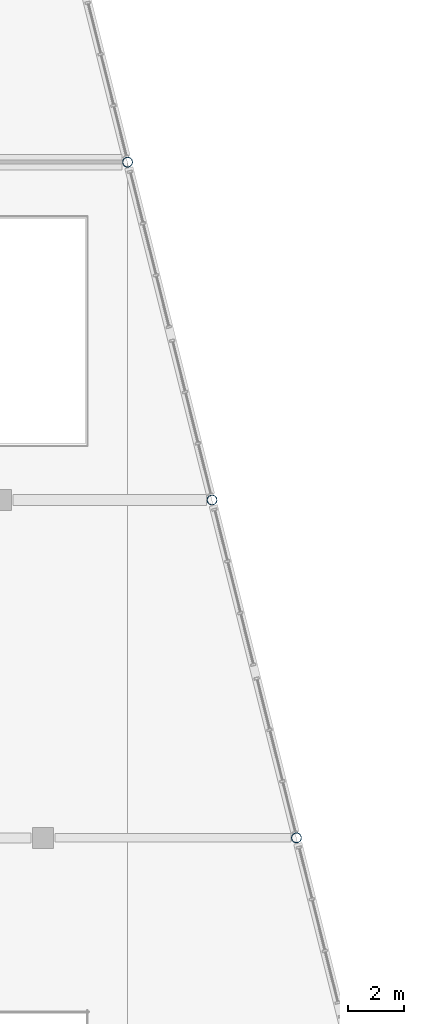
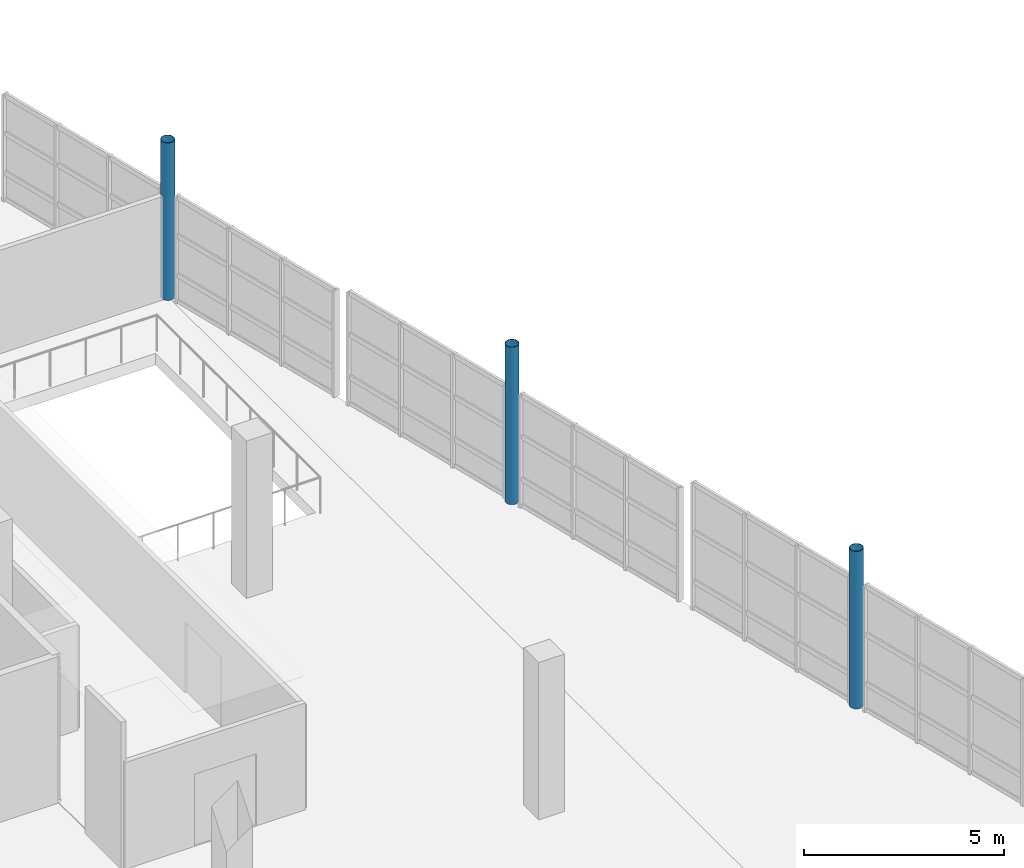
# One storey, part 11 of 112: 3 columns.
"""IFC4 building model written with IfcOpenShell, lengths in metres."""

from ifc_helpers import new_model, si_unit, direction, frame, origin, origin_2d, place, context, subcontext, project, spatial, hollow_circle, extrude, material, material_profile, profile_set, type_object, element, save


model = new_model("IFC4")

# Units and contexts
model_context = context("Model", 3, precision=1e-05, world=origin(), true_north=direction((0.0, 1.0)))
body_context = subcontext(model_context, "Body", "Model", "MODEL_VIEW")
ifc_project = project(units=[si_unit("LENGTHUNIT", "METRE"), si_unit("AREAUNIT", "SQUARE_METRE"), si_unit("VOLUMEUNIT", "CUBIC_METRE"), si_unit("PLANEANGLEUNIT", "RADIAN"), si_unit("MASSUNIT", "GRAM", prefix="KILO")], contexts=[model_context])

# Site, building, storey
site_placement = place(None, origin())
site = spatial("IfcSite", under=ifc_project, at=site_placement, CompositionType="ELEMENT")
building_placement = place(site_placement, origin())
building = spatial("IfcBuilding", under=site, at=building_placement, Name="Kamomehara Wholesale Market", CompositionType="ELEMENT")
storey_placement = place(building_placement, frame((0.0, 0.0, 6.60009765625)))
storey = spatial("IfcBuildingStorey", under=building, at=storey_placement, Name="L01", CompositionType="ELEMENT", Elevation=6.60009765625)

# Columns
ifc_material_1 = material(Name="Steel SN490B", Category="steel")
ifc_material_profile_1 = material_profile(ifc_material_1, hollow_circle(Radius=0.177734375, WallThickness=0.0126953125, at=origin_2d()), Name="CHS-355.6x12.7")
ifc_profile_set_1 = profile_set([ifc_material_profile_1], Name="Steel SN490B")
column_type_1 = type_object("IfcColumnType", Name="COL-ST-CHS355", PredefinedType="COLUMN", material=ifc_profile_set_1)
column_placement = place(storey_placement, frame((192.0, 72.0, 0.0), z_axis=(0.0, 0.0, 1.0), x_axis=(1.0, 0.0, 0.0)))
element("IfcColumn", 1, at=column_placement, inside=storey, type_object=column_type_1, Name="Column CS-09 L01", PredefinedType="COLUMN", context=body_context, shape_type="SweptSolid", body=[
    extrude(hollow_circle(Radius=0.177734375, WallThickness=0.0126953125, at=origin_2d()), origin(), (0.0, 0.0, 1.0), 4.7998046875),
])
ifc_material_2 = material(Name="Steel SN490B", Category="steel")
ifc_material_profile_2 = material_profile(ifc_material_2, hollow_circle(Radius=0.177734375, WallThickness=0.0126953125, at=origin_2d()), Name="CHS-355.6x12.7")
ifc_profile_set_2 = profile_set([ifc_material_profile_2], Name="Steel SN490B")
column_type_2 = type_object("IfcColumnType", Name="COL-ST-CHS355-EXT", PredefinedType="COLUMN", material=ifc_profile_set_2)
for number, where, z_axis, x_axis, name in (
    (2, (195.0, 60.0, 0.0), (0.0, 0.0, 1.0), (1.0, 0.0, 0.0), "Column CS-09E L01"),
    (3, (198.0, 48.0, 0.0), (0.0, 0.0, 1.0), (1.0, 0.0, 0.0), "Column CS-09E L01"),
):
    element("IfcColumn", number, at=place(storey_placement, frame(where, z_axis=z_axis, x_axis=x_axis)), inside=storey, type_object=column_type_2, Name=name, PredefinedType="COLUMN", context=body_context, shape_type="SweptSolid", body=[
        extrude(hollow_circle(Radius=0.177734375, WallThickness=0.0126953125, at=origin_2d()), origin(), (0.0, 0.0, 1.0), 4.7998046875),
    ])

save(model, "model.ifc")
